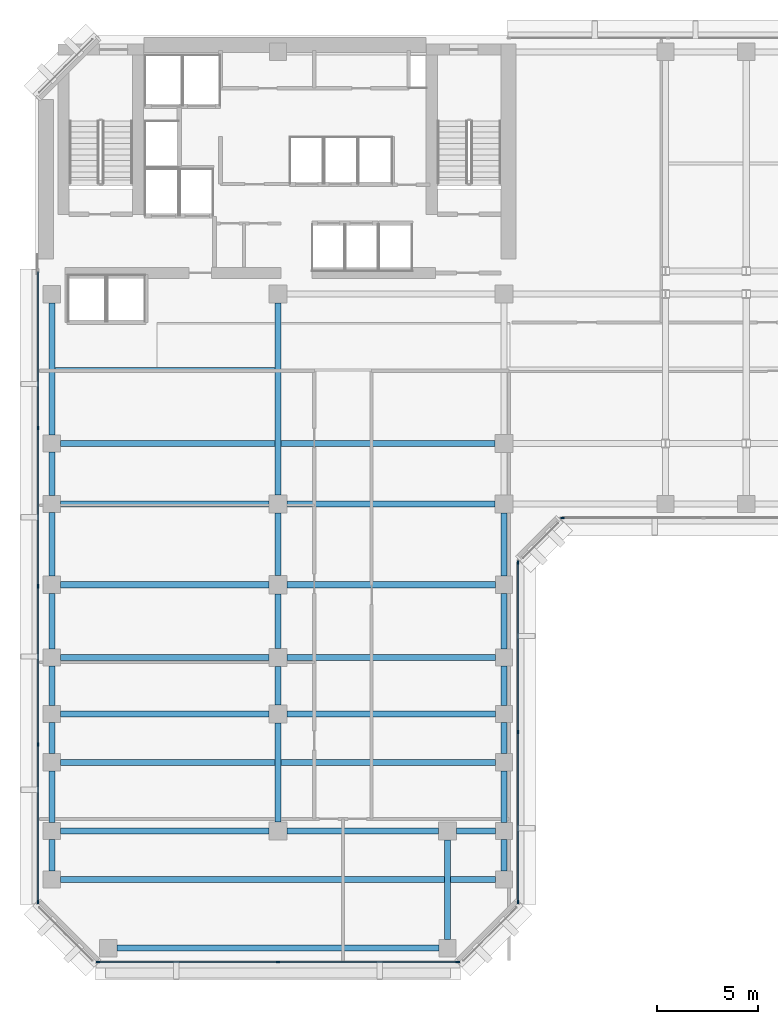
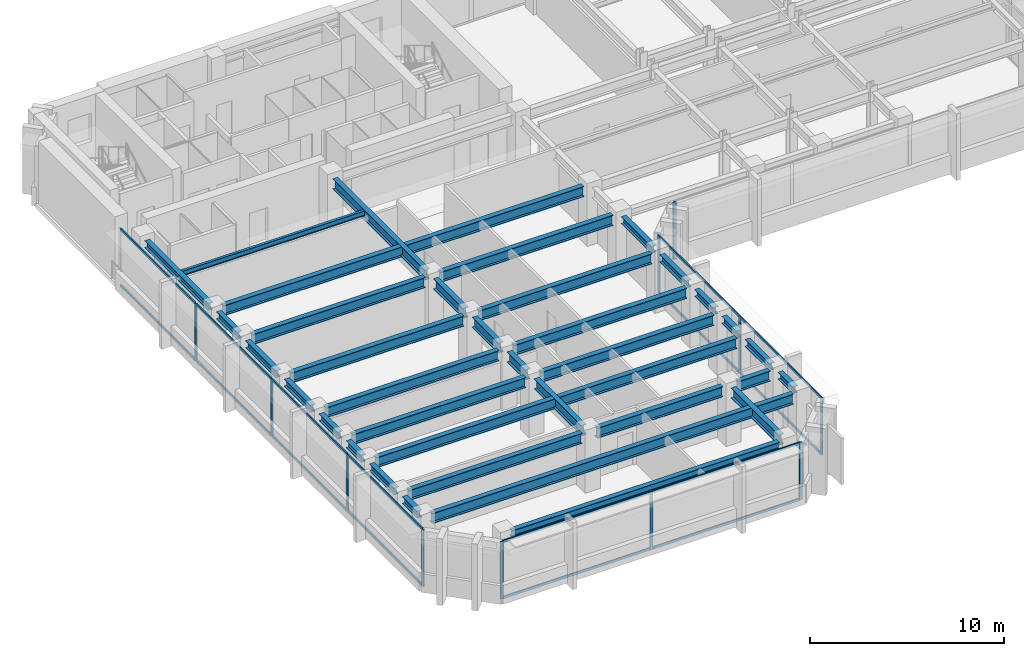
# One storey, part 2 of 11: 36 beams, 27 members, 4 elements without a shape of their own.
"""IFC4 building model written with IfcOpenShell, lengths in metres."""

from ifc_helpers import new_model, si_unit, direction, frame, origin, origin_2d, place, context, subcontext, project, spatial, rectangle, i_section, extrude, material, layer, layer_set, material_profile, profile_set, type_object, element, aggregate, save


model = new_model("IFC4")

# Units and contexts
model_context = context("Model", 3, precision=1e-05, world=origin(), true_north=direction((0.0, 1.0)))
body_context = subcontext(model_context, "Body", "Model", "MODEL_VIEW")
ifc_project = project(units=[si_unit("LENGTHUNIT", "METRE"), si_unit("AREAUNIT", "SQUARE_METRE"), si_unit("VOLUMEUNIT", "CUBIC_METRE"), si_unit("PLANEANGLEUNIT", "RADIAN"), si_unit("MASSUNIT", "GRAM", prefix="KILO")], contexts=[model_context])

# Site, building, storey
site_placement = place(None, origin())
site = spatial("IfcSite", under=ifc_project, at=site_placement, CompositionType="ELEMENT")
building_placement = place(site_placement, origin())
building = spatial("IfcBuilding", under=site, at=building_placement, Name="Kefirva Bronze Tower", CompositionType="ELEMENT")
storey_placement = place(building_placement, frame((0.0, 0.0, 170.610107421875)))
storey = spatial("IfcBuildingStorey", under=building, at=storey_placement, Name="L41", CompositionType="ELEMENT", Elevation=170.610107421875)

# Curtain wall, members
ifc_material_1 = material(Name="Bronze anodised aluminium", Category="aluminium")
ifc_layer = layer(ifc_material_1, 0.199951171875, Name="Bronze anodised aluminium")
ifc_layer_set = layer_set([ifc_layer], Name="Bronze anodised aluminium")
curtain_wall_type = type_object("IfcCurtainWallType", Name="Unitised Bronze Ribbon Curtain Wall Zone 2", PredefinedType="USERDEFINED", material=ifc_layer_set)
curtain_wall_1_placement = place(storey_placement, origin())
curtain_wall_1 = element("IfcCurtainWall", 1, at=curtain_wall_1_placement, inside=storey, type_object=curtain_wall_type, Name="L41 Curtain Wall 1", ObjectType="UNITISED CURTAIN WALL", PredefinedType="USERDEFINED")
ifc_material_profile_1 = material_profile(ifc_material_1, rectangle(XDim=0.074951171875, YDim=0.179931640625, at=origin_2d()), Name="ALU 75x180")
ifc_profile_set_1 = profile_set([ifc_material_profile_1], Name="Bronze anodised aluminium")
member_type_1 = type_object("IfcMemberType", Name="Bronze Mullion 75x180", PredefinedType="MULLION", material=ifc_profile_set_1)
member_1_placement = place(storey_placement, frame((3.092529296875, 0.1201171875, 0.0), z_axis=(0.0, 0.0, 1.0), x_axis=(0.0, 1.0, 0.0)))
member_1 = element("IfcMember", 2, at=member_1_placement, type_object=member_type_1, Name="CW-02 mullion 1", PredefinedType="MULLION", context=body_context, shape_type="SweptSolid", body=[
    extrude(rectangle(XDim=0.074951171875, YDim=0.179931640625, at=origin_2d()), origin(), (0.0, 0.0, 1.0), 3.60986328125),
])
member_2_placement = place(storey_placement, frame((12.0, 0.1201171875, 0.0), z_axis=(0.0, 0.0, 1.0), x_axis=(0.0, 1.0, 0.0)))
member_2 = element("IfcMember", 3, at=member_2_placement, type_object=member_type_1, Name="CW-02 mullion 2", PredefinedType="MULLION", context=body_context, shape_type="SweptSolid", body=[
    extrude(rectangle(XDim=0.074951171875, YDim=0.179931640625, at=origin_2d()), origin(), (0.0, 0.0, 1.0), 3.60986328125),
])
member_3_placement = place(storey_placement, frame((20.907470703125, 0.1201171875, 0.0), z_axis=(0.0, 0.0, 1.0), x_axis=(0.0, 1.0, 0.0)))
member_3 = element("IfcMember", 4, at=member_3_placement, type_object=member_type_1, Name="CW-02 mullion 3", PredefinedType="MULLION", context=body_context, shape_type="SweptSolid", body=[
    extrude(rectangle(XDim=0.074951171875, YDim=0.179931640625, at=origin_2d()), origin(), (0.0, 0.0, 1.0), 3.60986328125),
])

curtain_wall_2_placement = place(storey_placement, origin())
curtain_wall_2 = element("IfcCurtainWall", 5, at=curtain_wall_2_placement, inside=storey, type_object=curtain_wall_type, Name="L41 Curtain Wall 2", ObjectType="UNITISED CURTAIN WALL", PredefinedType="USERDEFINED")
member_4_placement = place(storey_placement, frame((23.8798828125, 3.092529296875, 0.0), z_axis=(0.0, 0.0, 1.0), x_axis=(-1.0, 0.0, 0.0)))
member_4 = element("IfcMember", 6, at=member_4_placement, type_object=member_type_1, Name="CW-02 mullion 1", PredefinedType="MULLION", context=body_context, shape_type="SweptSolid", body=[
    extrude(rectangle(XDim=0.074951171875, YDim=0.179931640625, at=origin_2d()), origin(), (0.0, 0.0, 1.0), 3.60986328125),
])
member_5_placement = place(storey_placement, frame((23.8798828125, 11.5, 0.0), z_axis=(0.0, 0.0, 1.0), x_axis=(-1.0, 0.0, 0.0)))
member_5 = element("IfcMember", 7, at=member_5_placement, type_object=member_type_1, Name="CW-02 mullion 2", PredefinedType="MULLION", context=body_context, shape_type="SweptSolid", body=[
    extrude(rectangle(XDim=0.074951171875, YDim=0.179931640625, at=origin_2d()), origin(), (0.0, 0.0, 1.0), 3.60986328125),
])
member_6_placement = place(storey_placement, frame((23.8798828125, 19.907470703125, 0.0), z_axis=(0.0, 0.0, 1.0), x_axis=(-1.0, 0.0, 0.0)))
member_6 = element("IfcMember", 8, at=member_6_placement, type_object=member_type_1, Name="CW-02 mullion 3", PredefinedType="MULLION", context=body_context, shape_type="SweptSolid", body=[
    extrude(rectangle(XDim=0.074951171875, YDim=0.179931640625, at=origin_2d()), origin(), (0.0, 0.0, 1.0), 3.60986328125),
])

# Curtain wall, member
curtain_wall_3_placement = place(storey_placement, origin())
curtain_wall_3 = element("IfcCurtainWall", 9, at=curtain_wall_3_placement, inside=storey, type_object=curtain_wall_type, Name="L41 Curtain Wall 3", ObjectType="UNITISED CURTAIN WALL", PredefinedType="USERDEFINED")
member_7_placement = place(storey_placement, frame((26.092529296875, 22.1201171875, 0.0), z_axis=(0.0, 0.0, 1.0), x_axis=(0.0, 1.0, 0.0)))
member_7 = element("IfcMember", 10, at=member_7_placement, type_object=member_type_1, Name="CW-02 mullion 1", PredefinedType="MULLION", context=body_context, shape_type="SweptSolid", body=[
    extrude(rectangle(XDim=0.074951171875, YDim=0.179931640625, at=origin_2d()), origin(), (0.0, 0.0, 1.0), 3.60986328125),
])
aggregate(curtain_wall_3, [member_7])

# Curtain wall, members
curtain_wall_4_placement = place(storey_placement, origin())
curtain_wall_4 = element("IfcCurtainWall", 11, at=curtain_wall_4_placement, inside=storey, type_object=curtain_wall_type, Name="L41 Curtain Wall 6", ObjectType="UNITISED CURTAIN WALL", PredefinedType="USERDEFINED")
member_8_placement = place(storey_placement, frame((0.1201171875, 26.56005859375, 0.0), z_axis=(0.0, 0.0, 1.0), x_axis=(1.0, 0.0, 0.0)))
member_8 = element("IfcMember", 12, at=member_8_placement, type_object=member_type_1, Name="CW-02 mullion 2", PredefinedType="MULLION", context=body_context, shape_type="SweptSolid", body=[
    extrude(rectangle(XDim=0.074951171875, YDim=0.179931640625, at=origin_2d()), origin(), (0.0, 0.0, 1.0), 3.60986328125),
])
member_9_placement = place(storey_placement, frame((0.1201171875, 18.72509765625, 0.0), z_axis=(0.0, 0.0, 1.0), x_axis=(1.0, 0.0, 0.0)))
member_9 = element("IfcMember", 13, at=member_9_placement, type_object=member_type_1, Name="CW-02 mullion 3", PredefinedType="MULLION", context=body_context, shape_type="SweptSolid", body=[
    extrude(rectangle(XDim=0.074951171875, YDim=0.179931640625, at=origin_2d()), origin(), (0.0, 0.0, 1.0), 3.60986328125),
])
member_10_placement = place(storey_placement, frame((0.1201171875, 10.889892578125, 0.0), z_axis=(0.0, 0.0, 1.0), x_axis=(1.0, 0.0, 0.0)))
member_10 = element("IfcMember", 14, at=member_10_placement, type_object=member_type_1, Name="CW-02 mullion 4", PredefinedType="MULLION", context=body_context, shape_type="SweptSolid", body=[
    extrude(rectangle(XDim=0.074951171875, YDim=0.179931640625, at=origin_2d()), origin(), (0.0, 0.0, 1.0), 3.60986328125),
])
member_11_placement = place(storey_placement, frame((0.1201171875, 3.092529296875, 0.0), z_axis=(0.0, 0.0, 1.0), x_axis=(1.0, 0.0, 0.0)))
member_11 = element("IfcMember", 15, at=member_11_placement, type_object=member_type_1, Name="CW-02 mullion 5", PredefinedType="MULLION", context=body_context, shape_type="SweptSolid", body=[
    extrude(rectangle(XDim=0.074951171875, YDim=0.179931640625, at=origin_2d()), origin(), (0.0, 0.0, 1.0), 3.60986328125),
])

# Member
ifc_material_profile_2 = material_profile(ifc_material_1, rectangle(XDim=0.074951171875, YDim=0.14990234375, at=origin_2d()), Name="ALU 75x150")
ifc_profile_set_2 = profile_set([ifc_material_profile_2], Name="Bronze anodised aluminium")
member_type_2 = type_object("IfcMemberType", Name="Bronze Transom 75x150", PredefinedType="USERDEFINED", material=ifc_profile_set_2)
member_12_placement = place(storey_placement, frame((3.1298828125, 0.1201171875, 0.037353515625), z_axis=(1.0, 0.0, 0.0), x_axis=(0.0, 1.0, 0.0)))
member_12 = element("IfcMember", 16, at=member_12_placement, type_object=member_type_2, Name="CW-02 transom 1.1", ObjectType="TRANSOM", PredefinedType="USERDEFINED", context=body_context, shape_type="SweptSolid", body=[
    extrude(rectangle(XDim=0.074951171875, YDim=0.14990234375, at=origin_2d()), origin(), (0.0, 0.0, 1.0), 8.83251953125),
])

member_13_placement = place(storey_placement, frame((3.1298828125, 0.1201171875, 3.572509765625), z_axis=(1.0, 0.0, 0.0), x_axis=(0.0, 1.0, 0.0)))
member_13 = element("IfcMember", 17, at=member_13_placement, type_object=member_type_2, Name="CW-02 transom 1.2", ObjectType="TRANSOM", PredefinedType="USERDEFINED", context=body_context, shape_type="SweptSolid", body=[
    extrude(rectangle(XDim=0.074951171875, YDim=0.14990234375, at=origin_2d()), origin(), (0.0, 0.0, 1.0), 8.83251953125),
])

member_14_placement = place(storey_placement, frame((12.03759765625, 0.1201171875, 0.037353515625), z_axis=(1.0, 0.0, 0.0), x_axis=(0.0, 1.0, 0.0)))
member_14 = element("IfcMember", 18, at=member_14_placement, type_object=member_type_2, Name="CW-02 transom 2.1", ObjectType="TRANSOM", PredefinedType="USERDEFINED", context=body_context, shape_type="SweptSolid", body=[
    extrude(rectangle(XDim=0.074951171875, YDim=0.14990234375, at=origin_2d()), origin(), (0.0, 0.0, 1.0), 8.83251953125),
])

member_15_placement = place(storey_placement, frame((12.03759765625, 0.1201171875, 3.572509765625), z_axis=(1.0, 0.0, 0.0), x_axis=(0.0, 1.0, 0.0)))
member_15 = element("IfcMember", 19, at=member_15_placement, type_object=member_type_2, Name="CW-02 transom 2.2", ObjectType="TRANSOM", PredefinedType="USERDEFINED", context=body_context, shape_type="SweptSolid", body=[
    extrude(rectangle(XDim=0.074951171875, YDim=0.14990234375, at=origin_2d()), origin(), (0.0, 0.0, 1.0), 8.83251953125),
])

aggregate(curtain_wall_1, [member_1, member_2, member_3, member_12, member_13, member_14, member_15])

member_16_placement = place(storey_placement, frame((23.8798828125, 3.1298828125, 0.037353515625), z_axis=(0.0, 1.0, 0.0), x_axis=(-1.0, 0.0, 0.0)))
member_16 = element("IfcMember", 20, at=member_16_placement, type_object=member_type_2, Name="CW-02 transom 1.1", ObjectType="TRANSOM", PredefinedType="USERDEFINED", context=body_context, shape_type="SweptSolid", body=[
    extrude(rectangle(XDim=0.074951171875, YDim=0.14990234375, at=origin_2d()), origin(), (0.0, 0.0, 1.0), 8.33251953125),
])

member_17_placement = place(storey_placement, frame((23.8798828125, 3.1298828125, 3.572509765625), z_axis=(0.0, 1.0, 0.0), x_axis=(-1.0, 0.0, 0.0)))
member_17 = element("IfcMember", 21, at=member_17_placement, type_object=member_type_2, Name="CW-02 transom 1.2", ObjectType="TRANSOM", PredefinedType="USERDEFINED", context=body_context, shape_type="SweptSolid", body=[
    extrude(rectangle(XDim=0.074951171875, YDim=0.14990234375, at=origin_2d()), origin(), (0.0, 0.0, 1.0), 8.33251953125),
])

member_18_placement = place(storey_placement, frame((23.8798828125, 11.53759765625, 0.037353515625), z_axis=(0.0, 1.0, 0.0), x_axis=(-1.0, 0.0, 0.0)))
member_18 = element("IfcMember", 22, at=member_18_placement, type_object=member_type_2, Name="CW-02 transom 2.1", ObjectType="TRANSOM", PredefinedType="USERDEFINED", context=body_context, shape_type="SweptSolid", body=[
    extrude(rectangle(XDim=0.074951171875, YDim=0.14990234375, at=origin_2d()), origin(), (0.0, 0.0, 1.0), 8.33251953125),
])

member_19_placement = place(storey_placement, frame((23.8798828125, 11.53759765625, 3.572509765625), z_axis=(0.0, 1.0, 0.0), x_axis=(-1.0, 0.0, 0.0)))
member_19 = element("IfcMember", 23, at=member_19_placement, type_object=member_type_2, Name="CW-02 transom 2.2", ObjectType="TRANSOM", PredefinedType="USERDEFINED", context=body_context, shape_type="SweptSolid", body=[
    extrude(rectangle(XDim=0.074951171875, YDim=0.14990234375, at=origin_2d()), origin(), (0.0, 0.0, 1.0), 8.33251953125),
])

aggregate(curtain_wall_2, [member_4, member_5, member_6, member_16, member_17, member_18, member_19])

member_20_placement = place(storey_placement, frame((0.1201171875, 34.320068359375, 0.037353515625), z_axis=(0.0, -1.0, 0.0), x_axis=(1.0, 0.0, 0.0)))
member_20 = element("IfcMember", 24, at=member_20_placement, type_object=member_type_2, Name="CW-02 transom 1.1", ObjectType="TRANSOM", PredefinedType="USERDEFINED", context=body_context, shape_type="SweptSolid", body=[
    extrude(rectangle(XDim=0.074951171875, YDim=0.14990234375, at=origin_2d()), origin(), (0.0, 0.0, 1.0), 7.72265625),
])

member_21_placement = place(storey_placement, frame((0.1201171875, 34.320068359375, 3.572509765625), z_axis=(0.0, -1.0, 0.0), x_axis=(1.0, 0.0, 0.0)))
member_21 = element("IfcMember", 25, at=member_21_placement, type_object=member_type_2, Name="CW-02 transom 1.2", ObjectType="TRANSOM", PredefinedType="USERDEFINED", context=body_context, shape_type="SweptSolid", body=[
    extrude(rectangle(XDim=0.074951171875, YDim=0.14990234375, at=origin_2d()), origin(), (0.0, 0.0, 1.0), 7.72265625),
])

member_22_placement = place(storey_placement, frame((0.1201171875, 26.5224609375, 0.037353515625), z_axis=(0.0, -1.0, 0.0), x_axis=(1.0, 0.0, 0.0)))
member_22 = element("IfcMember", 26, at=member_22_placement, type_object=member_type_2, Name="CW-02 transom 2.1", ObjectType="TRANSOM", PredefinedType="USERDEFINED", context=body_context, shape_type="SweptSolid", body=[
    extrude(rectangle(XDim=0.074951171875, YDim=0.14990234375, at=origin_2d()), origin(), (0.0, 0.0, 1.0), 7.760009765625),
])

member_23_placement = place(storey_placement, frame((0.1201171875, 26.5224609375, 3.572509765625), z_axis=(0.0, -1.0, 0.0), x_axis=(1.0, 0.0, 0.0)))
member_23 = element("IfcMember", 27, at=member_23_placement, type_object=member_type_2, Name="CW-02 transom 2.2", ObjectType="TRANSOM", PredefinedType="USERDEFINED", context=body_context, shape_type="SweptSolid", body=[
    extrude(rectangle(XDim=0.074951171875, YDim=0.14990234375, at=origin_2d()), origin(), (0.0, 0.0, 1.0), 7.760009765625),
])

member_24_placement = place(storey_placement, frame((0.1201171875, 18.6875, 0.037353515625), z_axis=(0.0, -1.0, 0.0), x_axis=(1.0, 0.0, 0.0)))
member_24 = element("IfcMember", 28, at=member_24_placement, type_object=member_type_2, Name="CW-02 transom 3.1", ObjectType="TRANSOM", PredefinedType="USERDEFINED", context=body_context, shape_type="SweptSolid", body=[
    extrude(rectangle(XDim=0.074951171875, YDim=0.14990234375, at=origin_2d()), origin(), (0.0, 0.0, 1.0), 7.760009765625),
])

member_25_placement = place(storey_placement, frame((0.1201171875, 18.6875, 3.572509765625), z_axis=(0.0, -1.0, 0.0), x_axis=(1.0, 0.0, 0.0)))
member_25 = element("IfcMember", 29, at=member_25_placement, type_object=member_type_2, Name="CW-02 transom 3.2", ObjectType="TRANSOM", PredefinedType="USERDEFINED", context=body_context, shape_type="SweptSolid", body=[
    extrude(rectangle(XDim=0.074951171875, YDim=0.14990234375, at=origin_2d()), origin(), (0.0, 0.0, 1.0), 7.760009765625),
])

member_26_placement = place(storey_placement, frame((0.1201171875, 10.8525390625, 0.037353515625), z_axis=(0.0, -1.0, 0.0), x_axis=(1.0, 0.0, 0.0)))
member_26 = element("IfcMember", 30, at=member_26_placement, type_object=member_type_2, Name="CW-02 transom 4.1", ObjectType="TRANSOM", PredefinedType="USERDEFINED", context=body_context, shape_type="SweptSolid", body=[
    extrude(rectangle(XDim=0.074951171875, YDim=0.14990234375, at=origin_2d()), origin(), (0.0, 0.0, 1.0), 7.72265625),
])

member_27_placement = place(storey_placement, frame((0.1201171875, 10.8525390625, 3.572509765625), z_axis=(0.0, -1.0, 0.0), x_axis=(1.0, 0.0, 0.0)))
member_27 = element("IfcMember", 31, at=member_27_placement, type_object=member_type_2, Name="CW-02 transom 4.2", ObjectType="TRANSOM", PredefinedType="USERDEFINED", context=body_context, shape_type="SweptSolid", body=[
    extrude(rectangle(XDim=0.074951171875, YDim=0.14990234375, at=origin_2d()), origin(), (0.0, 0.0, 1.0), 7.72265625),
])

aggregate(curtain_wall_4, [member_8, member_9, member_10, member_11, member_20, member_21, member_22, member_23, member_24, member_25, member_26, member_27])

# Beams
ifc_material_2 = material(Name="Steel S355", Category="steel")
ifc_material_profile_3 = material_profile(ifc_material_2, i_section(OverallWidth=0.159912109375, OverallDepth=0.330078125, WebThickness=0.007568359375, FlangeThickness=0.011474609375, at=origin_2d()), Name="IPE 330")
ifc_profile_set_3 = profile_set([ifc_material_profile_3], Name="Steel S355")
beam_type_1 = type_object("IfcBeamType", Name="Steel Floor Joist IPE 330", PredefinedType="JOIST", material=ifc_profile_set_3)
beam_1_placement = place(storey_placement, frame((0.949951171875, 29.489990234375, 3.44482421875), z_axis=(1.0, 0.0, 0.0), x_axis=(0.0, 1.0, 0.0)))
element("IfcBeam", 32, at=beam_1_placement, inside=storey, type_object=beam_type_1, Name="L41 JST-L41-0-294", PredefinedType="JOIST", context=body_context, shape_type="SweptSolid", body=[
    extrude(i_section(OverallWidth=0.159912109375, OverallDepth=0.330078125, WebThickness=0.007568359375, FlangeThickness=0.011474609375, at=origin_2d()), origin(), (0.0, 0.0, 1.0), 10.900146484375),
])
ifc_material_profile_4 = material_profile(ifc_material_2, i_section(OverallWidth=0.300048828125, OverallDepth=0.64990234375, WebThickness=0.01611328125, FlangeThickness=0.031005859375, at=origin_2d()), Name="HEB 650")
ifc_profile_set_4 = profile_set([ifc_material_profile_4], Name="Steel S355")
beam_type_2 = type_object("IfcBeamType", Name="Steel Girder HEB 650", PredefinedType="USERDEFINED", material=ifc_profile_set_4)
beam_2_placement = place(storey_placement, frame((1.22998046875, 4.199951171875, 3.284912109375), z_axis=(1.0, 0.0, 0.0), x_axis=(0.0, 1.0, 0.0)))
element("IfcBeam", 33, at=beam_2_placement, inside=storey, type_object=beam_type_2, Name="L41 BM-L41-EW-0-42", ObjectType="GIRDER", PredefinedType="USERDEFINED", context=body_context, shape_type="SweptSolid", body=[
    extrude(i_section(OverallWidth=0.300048828125, OverallDepth=0.64990234375, WebThickness=0.01611328125, FlangeThickness=0.031005859375, at=origin_2d()), origin(), (0.0, 0.0, 1.0), 21.5400390625),
])
beam_3_placement = place(storey_placement, frame((1.22998046875, 6.60009765625, 3.284912109375), z_axis=(1.0, 0.0, 0.0), x_axis=(0.0, 1.0, 0.0)))
element("IfcBeam", 34, at=beam_3_placement, inside=storey, type_object=beam_type_2, Name="L41 BM-L41-EW-0-66", ObjectType="GIRDER", PredefinedType="USERDEFINED", context=body_context, shape_type="SweptSolid", body=[
    extrude(i_section(OverallWidth=0.300048828125, OverallDepth=0.64990234375, WebThickness=0.01611328125, FlangeThickness=0.031005859375, at=origin_2d()), origin(), (0.0, 0.0, 1.0), 10.320068359375),
])
beam_4_placement = place(storey_placement, frame((12.449951171875, 6.60009765625, 3.284912109375), z_axis=(1.0, 0.0, 0.0), x_axis=(0.0, 1.0, 0.0)))
element("IfcBeam", 35, at=beam_4_placement, inside=storey, type_object=beam_type_2, Name="L41 BM-L41-EW-12-66", ObjectType="GIRDER", PredefinedType="USERDEFINED", context=body_context, shape_type="SweptSolid", body=[
    extrude(i_section(OverallWidth=0.300048828125, OverallDepth=0.64990234375, WebThickness=0.01611328125, FlangeThickness=0.031005859375, at=origin_2d()), origin(), (0.0, 0.0, 1.0), 7.5),
])
beam_5_placement = place(storey_placement, frame((20.85009765625, 6.60009765625, 3.284912109375), z_axis=(1.0, 0.0, 0.0), x_axis=(0.0, 1.0, 0.0)))
element("IfcBeam", 36, at=beam_5_placement, inside=storey, type_object=beam_type_2, Name="L41 BM-L41-EW-20-66", ObjectType="GIRDER", PredefinedType="USERDEFINED", context=body_context, shape_type="SweptSolid", body=[
    extrude(i_section(OverallWidth=0.300048828125, OverallDepth=0.64990234375, WebThickness=0.01611328125, FlangeThickness=0.031005859375, at=origin_2d()), origin(), (0.0, 0.0, 1.0), 1.919921875),
])
beam_6_placement = place(storey_placement, frame((1.22998046875, 10.0, 3.284912109375), z_axis=(1.0, 0.0, 0.0), x_axis=(0.0, 1.0, 0.0)))
element("IfcBeam", 37, at=beam_6_placement, inside=storey, type_object=beam_type_2, Name="L41 BM-L41-EW-0-100", ObjectType="GIRDER", PredefinedType="USERDEFINED", context=body_context, shape_type="SweptSolid", body=[
    extrude(i_section(OverallWidth=0.300048828125, OverallDepth=0.64990234375, WebThickness=0.01611328125, FlangeThickness=0.031005859375, at=origin_2d()), origin(), (0.0, 0.0, 1.0), 21.5400390625),
])
for number, where, z_axis, x_axis, name in (
    (38, (1.22998046875, 12.39990234375, 3.284912109375), (1.0, 0.0, 0.0), (0.0, 1.0, 0.0), "L41 BM-L41-EW-0-124"),
    (39, (12.449951171875, 12.39990234375, 3.284912109375), (1.0, 0.0, 0.0), (0.0, 1.0, 0.0), "L41 BM-L41-EW-12-124"),
    (40, (1.22998046875, 15.199951171875, 3.284912109375), (1.0, 0.0, 0.0), (0.0, 1.0, 0.0), "L41 BM-L41-EW-0-152"),
    (41, (12.449951171875, 15.199951171875, 3.284912109375), (1.0, 0.0, 0.0), (0.0, 1.0, 0.0), "L41 BM-L41-EW-12-152"),
    (42, (1.22998046875, 18.800048828125, 3.284912109375), (1.0, 0.0, 0.0), (0.0, 1.0, 0.0), "L41 BM-L41-EW-0-188"),
    (43, (12.449951171875, 18.800048828125, 3.284912109375), (1.0, 0.0, 0.0), (0.0, 1.0, 0.0), "L41 BM-L41-EW-12-188"),
    (44, (1.22998046875, 22.800048828125, 3.284912109375), (1.0, 0.0, 0.0), (0.0, 1.0, 0.0), "L41 BM-L41-EW-0-228"),
):
    element("IfcBeam", number, at=place(storey_placement, frame(where, z_axis=z_axis, x_axis=x_axis)), inside=storey, type_object=beam_type_2, Name=name, ObjectType="GIRDER", PredefinedType="USERDEFINED", context=body_context, shape_type="SweptSolid", body=[
        extrude(i_section(OverallWidth=0.300048828125, OverallDepth=0.64990234375, WebThickness=0.01611328125, FlangeThickness=0.031005859375, at=origin_2d()), origin(), (0.0, 0.0, 1.0), 10.320068359375),
    ])
beam_7_placement = place(storey_placement, frame((12.449951171875, 22.800048828125, 3.284912109375), z_axis=(1.0, 0.0, 0.0), x_axis=(0.0, 1.0, 0.0)))
element("IfcBeam", 45, at=beam_7_placement, inside=storey, type_object=beam_type_2, Name="L41 BM-L41-EW-12-228", ObjectType="GIRDER", PredefinedType="USERDEFINED", context=body_context, shape_type="SweptSolid", body=[
    extrude(i_section(OverallWidth=0.300048828125, OverallDepth=0.64990234375, WebThickness=0.01611328125, FlangeThickness=0.031005859375, at=origin_2d()), origin(), (0.0, 0.0, 1.0), 10.300048828125),
])
beam_8_placement = place(storey_placement, frame((1.22998046875, 25.800048828125, 3.284912109375), z_axis=(1.0, 0.0, 0.0), x_axis=(0.0, 1.0, 0.0)))
element("IfcBeam", 46, at=beam_8_placement, inside=storey, type_object=beam_type_2, Name="L41 BM-L41-EW-0-258", ObjectType="GIRDER", PredefinedType="USERDEFINED", context=body_context, shape_type="SweptSolid", body=[
    extrude(i_section(OverallWidth=0.300048828125, OverallDepth=0.64990234375, WebThickness=0.01611328125, FlangeThickness=0.031005859375, at=origin_2d()), origin(), (0.0, 0.0, 1.0), 21.52001953125),
])
beam_9_placement = place(storey_placement, frame((12.0, 7.050048828125, 3.284912109375), z_axis=(0.0, 1.0, 0.0), x_axis=(-1.0, 0.0, 0.0)))
element("IfcBeam", 47, at=beam_9_placement, inside=storey, type_object=beam_type_2, Name="L41 BM-L41-NS-120-6", ObjectType="GIRDER", PredefinedType="USERDEFINED", context=body_context, shape_type="SweptSolid", body=[
    extrude(i_section(OverallWidth=0.300048828125, OverallDepth=0.64990234375, WebThickness=0.01611328125, FlangeThickness=0.031005859375, at=origin_2d()), origin(), (0.0, 0.0, 1.0), 4.89990234375),
])
beam_10_placement = place(storey_placement, frame((12.0, 12.85009765625, 3.284912109375), z_axis=(0.0, 1.0, 0.0), x_axis=(-1.0, 0.0, 0.0)))
element("IfcBeam", 48, at=beam_10_placement, inside=storey, type_object=beam_type_2, Name="L41 BM-L41-NS-120-12", ObjectType="GIRDER", PredefinedType="USERDEFINED", context=body_context, shape_type="SweptSolid", body=[
    extrude(i_section(OverallWidth=0.300048828125, OverallDepth=0.64990234375, WebThickness=0.01611328125, FlangeThickness=0.031005859375, at=origin_2d()), origin(), (0.0, 0.0, 1.0), 1.89990234375),
])
beam_11_placement = place(storey_placement, frame((12.0, 15.64990234375, 3.284912109375), z_axis=(0.0, 1.0, 0.0), x_axis=(-1.0, 0.0, 0.0)))
element("IfcBeam", 49, at=beam_11_placement, inside=storey, type_object=beam_type_2, Name="L41 BM-L41-NS-120-15", ObjectType="GIRDER", PredefinedType="USERDEFINED", context=body_context, shape_type="SweptSolid", body=[
    extrude(i_section(OverallWidth=0.300048828125, OverallDepth=0.64990234375, WebThickness=0.01611328125, FlangeThickness=0.031005859375, at=origin_2d()), origin(), (0.0, 0.0, 1.0), 2.7001953125),
])
beam_12_placement = place(storey_placement, frame((12.0, 19.25, 3.284912109375), z_axis=(0.0, 1.0, 0.0), x_axis=(-1.0, 0.0, 0.0)))
element("IfcBeam", 50, at=beam_12_placement, inside=storey, type_object=beam_type_2, Name="L41 BM-L41-NS-120-18", ObjectType="GIRDER", PredefinedType="USERDEFINED", context=body_context, shape_type="SweptSolid", body=[
    extrude(i_section(OverallWidth=0.300048828125, OverallDepth=0.64990234375, WebThickness=0.01611328125, FlangeThickness=0.031005859375, at=origin_2d()), origin(), (0.0, 0.0, 1.0), 3.10009765625),
])
beam_13_placement = place(storey_placement, frame((12.0, 23.25, 3.284912109375), z_axis=(0.0, 1.0, 0.0), x_axis=(-1.0, 0.0, 0.0)))
element("IfcBeam", 51, at=beam_13_placement, inside=storey, type_object=beam_type_2, Name="L41 BM-L41-NS-120-22", ObjectType="GIRDER", PredefinedType="USERDEFINED", context=body_context, shape_type="SweptSolid", body=[
    extrude(i_section(OverallWidth=0.300048828125, OverallDepth=0.64990234375, WebThickness=0.01611328125, FlangeThickness=0.031005859375, at=origin_2d()), origin(), (0.0, 0.0, 1.0), 9.5),
])
beam_14_placement = place(storey_placement, frame((20.39990234375, 1.22998046875, 3.284912109375), z_axis=(0.0, 1.0, 0.0), x_axis=(-1.0, 0.0, 0.0)))
element("IfcBeam", 52, at=beam_14_placement, inside=storey, type_object=beam_type_2, Name="L41 BM-L41-NS-204-0", ObjectType="GIRDER", PredefinedType="USERDEFINED", context=body_context, shape_type="SweptSolid", body=[
    extrude(i_section(OverallWidth=0.300048828125, OverallDepth=0.64990234375, WebThickness=0.01611328125, FlangeThickness=0.031005859375, at=origin_2d()), origin(), (0.0, 0.0, 1.0), 4.919921875),
])
ifc_material_profile_5 = material_profile(ifc_material_2, i_section(OverallWidth=0.300048828125, OverallDepth=0.449951171875, WebThickness=0.013916015625, FlangeThickness=0.02587890625, at=origin_2d()), Name="HEB 450")
ifc_profile_set_5 = profile_set([ifc_material_profile_5], Name="Steel S355")
beam_type_3 = type_object("IfcBeamType", Name="Steel Spandrel HEB 450 Ext", PredefinedType="SPANDREL", material=ifc_profile_set_5)
beam_15_placement = place(storey_placement, frame((4.030029296875, 0.800048828125, 3.385009765625), z_axis=(1.0, 0.0, 0.0), x_axis=(0.0, 1.0, 0.0)))
element("IfcBeam", 53, at=beam_15_placement, inside=storey, type_object=beam_type_3, Name="L41 BM-L41-EW-3-8", PredefinedType="SPANDREL", context=body_context, shape_type="SweptSolid", body=[
    extrude(i_section(OverallWidth=0.300048828125, OverallDepth=0.449951171875, WebThickness=0.013916015625, FlangeThickness=0.02587890625, at=origin_2d()), origin(), (0.0, 0.0, 1.0), 15.93994140625),
])
beam_16_placement = place(storey_placement, frame((0.800048828125, 4.6298828125, 3.385009765625), z_axis=(0.0, 1.0, 0.0), x_axis=(-1.0, 0.0, 0.0)))
element("IfcBeam", 54, at=beam_16_placement, inside=storey, type_object=beam_type_3, Name="L41 BM-L41-NS-8-4", PredefinedType="SPANDREL", context=body_context, shape_type="SweptSolid", body=[
    extrude(i_section(OverallWidth=0.300048828125, OverallDepth=0.449951171875, WebThickness=0.013916015625, FlangeThickness=0.02587890625, at=origin_2d()), origin(), (0.0, 0.0, 1.0), 1.5400390625),
])
beam_17_placement = place(storey_placement, frame((0.800048828125, 7.030029296875, 3.385009765625), z_axis=(0.0, 1.0, 0.0), x_axis=(-1.0, 0.0, 0.0)))
element("IfcBeam", 55, at=beam_17_placement, inside=storey, type_object=beam_type_3, Name="L41 BM-L41-NS-8-6", PredefinedType="SPANDREL", context=body_context, shape_type="SweptSolid", body=[
    extrude(i_section(OverallWidth=0.300048828125, OverallDepth=0.449951171875, WebThickness=0.013916015625, FlangeThickness=0.02587890625, at=origin_2d()), origin(), (0.0, 0.0, 1.0), 2.5400390625),
])
beam_18_placement = place(storey_placement, frame((0.800048828125, 10.429931640625, 3.385009765625), z_axis=(0.0, 1.0, 0.0), x_axis=(-1.0, 0.0, 0.0)))
element("IfcBeam", 56, at=beam_18_placement, inside=storey, type_object=beam_type_3, Name="L41 BM-L41-NS-8-10", PredefinedType="SPANDREL", context=body_context, shape_type="SweptSolid", body=[
    extrude(i_section(OverallWidth=0.300048828125, OverallDepth=0.449951171875, WebThickness=0.013916015625, FlangeThickness=0.02587890625, at=origin_2d()), origin(), (0.0, 0.0, 1.0), 1.5400390625),
])
beam_19_placement = place(storey_placement, frame((0.800048828125, 12.830078125, 3.385009765625), z_axis=(0.0, 1.0, 0.0), x_axis=(-1.0, 0.0, 0.0)))
element("IfcBeam", 57, at=beam_19_placement, inside=storey, type_object=beam_type_3, Name="L41 BM-L41-NS-8-12", PredefinedType="SPANDREL", context=body_context, shape_type="SweptSolid", body=[
    extrude(i_section(OverallWidth=0.300048828125, OverallDepth=0.449951171875, WebThickness=0.013916015625, FlangeThickness=0.02587890625, at=origin_2d()), origin(), (0.0, 0.0, 1.0), 1.93994140625),
])
beam_20_placement = place(storey_placement, frame((0.800048828125, 15.6298828125, 3.385009765625), z_axis=(0.0, 1.0, 0.0), x_axis=(-1.0, 0.0, 0.0)))
element("IfcBeam", 58, at=beam_20_placement, inside=storey, type_object=beam_type_3, Name="L41 BM-L41-NS-8-15", PredefinedType="SPANDREL", context=body_context, shape_type="SweptSolid", body=[
    extrude(i_section(OverallWidth=0.300048828125, OverallDepth=0.449951171875, WebThickness=0.013916015625, FlangeThickness=0.02587890625, at=origin_2d()), origin(), (0.0, 0.0, 1.0), 2.740234375),
])
beam_21_placement = place(storey_placement, frame((0.800048828125, 19.22998046875, 3.385009765625), z_axis=(0.0, 1.0, 0.0), x_axis=(-1.0, 0.0, 0.0)))
element("IfcBeam", 59, at=beam_21_placement, inside=storey, type_object=beam_type_3, Name="L41 BM-L41-NS-8-18", PredefinedType="SPANDREL", context=body_context, shape_type="SweptSolid", body=[
    extrude(i_section(OverallWidth=0.300048828125, OverallDepth=0.449951171875, WebThickness=0.013916015625, FlangeThickness=0.02587890625, at=origin_2d()), origin(), (0.0, 0.0, 1.0), 3.14013671875),
])
beam_22_placement = place(storey_placement, frame((0.800048828125, 23.22998046875, 3.385009765625), z_axis=(0.0, 1.0, 0.0), x_axis=(-1.0, 0.0, 0.0)))
element("IfcBeam", 60, at=beam_22_placement, inside=storey, type_object=beam_type_3, Name="L41 BM-L41-NS-8-22", PredefinedType="SPANDREL", context=body_context, shape_type="SweptSolid", body=[
    extrude(i_section(OverallWidth=0.300048828125, OverallDepth=0.449951171875, WebThickness=0.013916015625, FlangeThickness=0.02587890625, at=origin_2d()), origin(), (0.0, 0.0, 1.0), 2.14013671875),
])
beam_23_placement = place(storey_placement, frame((0.800048828125, 26.22998046875, 3.385009765625), z_axis=(0.0, 1.0, 0.0), x_axis=(-1.0, 0.0, 0.0)))
element("IfcBeam", 61, at=beam_23_placement, inside=storey, type_object=beam_type_3, Name="L41 BM-L41-NS-8-25", PredefinedType="SPANDREL", context=body_context, shape_type="SweptSolid", body=[
    extrude(i_section(OverallWidth=0.300048828125, OverallDepth=0.449951171875, WebThickness=0.013916015625, FlangeThickness=0.02587890625, at=origin_2d()), origin(), (0.0, 0.0, 1.0), 6.5400390625),
])
beam_24_placement = place(storey_placement, frame((23.199951171875, 4.6298828125, 3.385009765625), z_axis=(0.0, 1.0, 0.0), x_axis=(-1.0, 0.0, 0.0)))
element("IfcBeam", 62, at=beam_24_placement, inside=storey, type_object=beam_type_3, Name="L41 BM-L41-NS-232-4", PredefinedType="SPANDREL", context=body_context, shape_type="SweptSolid", body=[
    extrude(i_section(OverallWidth=0.300048828125, OverallDepth=0.449951171875, WebThickness=0.013916015625, FlangeThickness=0.02587890625, at=origin_2d()), origin(), (0.0, 0.0, 1.0), 1.5400390625),
])
beam_25_placement = place(storey_placement, frame((23.199951171875, 7.030029296875, 3.385009765625), z_axis=(0.0, 1.0, 0.0), x_axis=(-1.0, 0.0, 0.0)))
element("IfcBeam", 63, at=beam_25_placement, inside=storey, type_object=beam_type_3, Name="L41 BM-L41-NS-232-6", PredefinedType="SPANDREL", context=body_context, shape_type="SweptSolid", body=[
    extrude(i_section(OverallWidth=0.300048828125, OverallDepth=0.449951171875, WebThickness=0.013916015625, FlangeThickness=0.02587890625, at=origin_2d()), origin(), (0.0, 0.0, 1.0), 2.5400390625),
])
beam_26_placement = place(storey_placement, frame((23.199951171875, 10.429931640625, 3.385009765625), z_axis=(0.0, 1.0, 0.0), x_axis=(-1.0, 0.0, 0.0)))
element("IfcBeam", 64, at=beam_26_placement, inside=storey, type_object=beam_type_3, Name="L41 BM-L41-NS-232-10", PredefinedType="SPANDREL", context=body_context, shape_type="SweptSolid", body=[
    extrude(i_section(OverallWidth=0.300048828125, OverallDepth=0.449951171875, WebThickness=0.013916015625, FlangeThickness=0.02587890625, at=origin_2d()), origin(), (0.0, 0.0, 1.0), 1.5400390625),
])
beam_27_placement = place(storey_placement, frame((23.199951171875, 12.830078125, 3.385009765625), z_axis=(0.0, 1.0, 0.0), x_axis=(-1.0, 0.0, 0.0)))
element("IfcBeam", 65, at=beam_27_placement, inside=storey, type_object=beam_type_3, Name="L41 BM-L41-NS-232-12", PredefinedType="SPANDREL", context=body_context, shape_type="SweptSolid", body=[
    extrude(i_section(OverallWidth=0.300048828125, OverallDepth=0.449951171875, WebThickness=0.013916015625, FlangeThickness=0.02587890625, at=origin_2d()), origin(), (0.0, 0.0, 1.0), 1.93994140625),
])
beam_28_placement = place(storey_placement, frame((23.199951171875, 15.6298828125, 3.385009765625), z_axis=(0.0, 1.0, 0.0), x_axis=(-1.0, 0.0, 0.0)))
element("IfcBeam", 66, at=beam_28_placement, inside=storey, type_object=beam_type_3, Name="L41 BM-L41-NS-232-15", PredefinedType="SPANDREL", context=body_context, shape_type="SweptSolid", body=[
    extrude(i_section(OverallWidth=0.300048828125, OverallDepth=0.449951171875, WebThickness=0.013916015625, FlangeThickness=0.02587890625, at=origin_2d()), origin(), (0.0, 0.0, 1.0), 2.740234375),
])
beam_29_placement = place(storey_placement, frame((23.199951171875, 19.22998046875, 3.385009765625), z_axis=(0.0, 1.0, 0.0), x_axis=(-1.0, 0.0, 0.0)))
element("IfcBeam", 67, at=beam_29_placement, inside=storey, type_object=beam_type_3, Name="L41 BM-L41-NS-232-18", PredefinedType="SPANDREL", context=body_context, shape_type="SweptSolid", body=[
    extrude(i_section(OverallWidth=0.300048828125, OverallDepth=0.449951171875, WebThickness=0.013916015625, FlangeThickness=0.02587890625, at=origin_2d()), origin(), (0.0, 0.0, 1.0), 3.1201171875),
])

save(model, "model.ifc")
